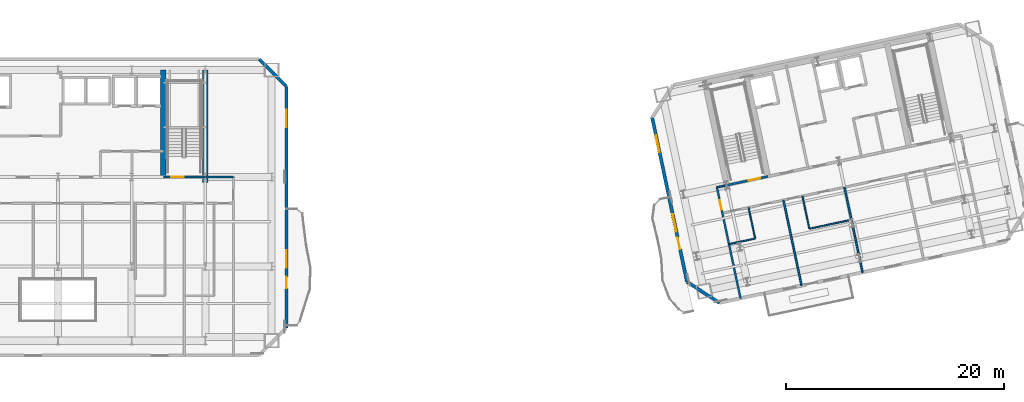
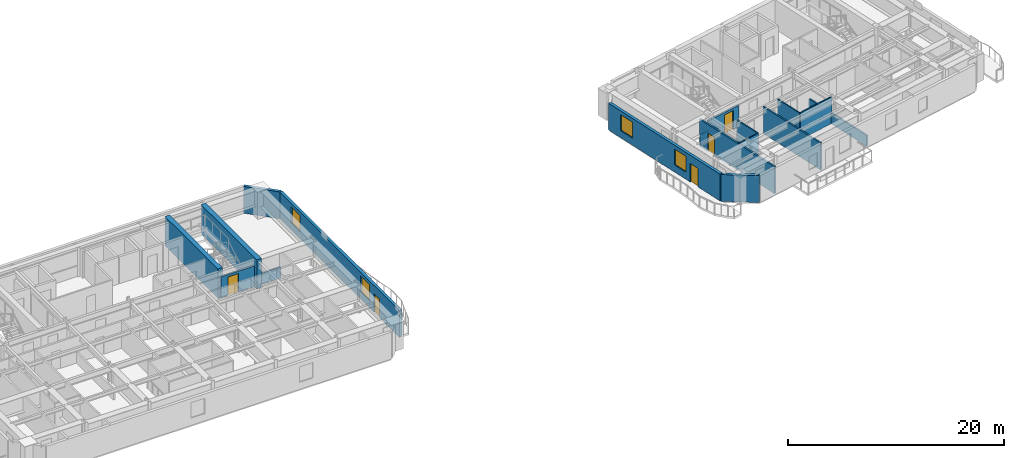
# One storey, part 9 of 16: 17 walls, 5 doors, 4 windows, 9 openings.
"""IFC4 building model written with IfcOpenShell, lengths in metres."""

from ifc_helpers import new_model, si_unit, direction, frame, frame_2d, origin, place, context, subcontext, project, spatial, rectangle, extrude, material, layer, layer_set, type_object, element, fill, save


model = new_model("IFC4")

# Units and contexts
model_context = context("Model", 3, precision=1e-05, world=origin(), true_north=direction((0.0, 1.0)))
body_context = subcontext(model_context, "Body", "Model", "MODEL_VIEW")
ifc_project = project(units=[si_unit("LENGTHUNIT", "METRE"), si_unit("AREAUNIT", "SQUARE_METRE"), si_unit("VOLUMEUNIT", "CUBIC_METRE"), si_unit("PLANEANGLEUNIT", "RADIAN"), si_unit("MASSUNIT", "GRAM", prefix="KILO")], contexts=[model_context])

# Site, building, storey
site_placement = place(None, origin())
site = spatial("IfcSite", under=ifc_project, at=site_placement, CompositionType="ELEMENT")
building_placement = place(site_placement, origin())
building = spatial("IfcBuilding", under=site, at=building_placement, Name="Haevon Station Towers", CompositionType="ELEMENT")
storey_placement = place(building_placement, frame((0.0, 0.0, 172.5)))
storey = spatial("IfcBuildingStorey", under=building, at=storey_placement, Name="L47", CompositionType="ELEMENT", Elevation=172.5)

# Wall, opening, door
ifc_material_1 = material(Name="Gypsum board on steel stud", Category="steel")
ifc_layer_1 = layer(ifc_material_1, 0.179931640625)
ifc_layer_set_1 = layer_set([ifc_layer_1], Name="Gypsum board on steel stud")
wall_type_1 = type_object("IfcWallType", Name="WL-ACU180", PredefinedType="PARTITIONING", material=ifc_layer_set_1)
wall_1_placement = place(storey_placement, frame((100.011962890625, 27.067626953125, 0.0), z_axis=(0.0, 0.0, 1.0), x_axis=(-0.207909525055, 0.978148061078, 0.0)))
wall_1 = element("IfcWall", 1, at=wall_1_placement, inside=storey, type_object=wall_type_1, Name="WL-T2PT-L47-03", PredefinedType="PARTITIONING", context=body_context, shape_type="SweptSolid", body=[
    extrude(rectangle(XDim=10.409912109375, YDim=0.179931640625, at=frame_2d((5.205078125, 0.0))), origin(), (0.0, 0.0, 1.0), 3.030029296875),
])
opening_1_placement = place(wall_1_placement, frame((8.31005859375, 0.0, 0.0)))
opening_1 = element("IfcOpeningElement", 2, at=opening_1_placement, cuts=wall_1, Name="Opening DR-WL-T2PT-L47-03-01", PredefinedType="OPENING", context=body_context, shape_type="SweptSolid", body=[
    extrude(rectangle(XDim=0.89990234375, YDim=2.050048828125, at=frame_2d((0.449951171875, 1.02490234375))), frame((0.0, 0.099853515625, 0.0), z_axis=(0.0, -1.0, 0.0), x_axis=(1.0, 0.0, 0.0)), (0.0, 0.0, 1.0), 0.199951171875),
])
ifc_material_2 = material(Name="Engineered oak timber", Category="wood")
door_type_1 = type_object("IfcDoorType", Name="DR-INT-900", OperationType="NOTDEFINED", PredefinedType="DOOR", material=ifc_material_2)
door_1_placement = place(opening_1_placement, origin())
door_1 = element("IfcDoor", 3, at=door_1_placement, inside=storey, type_object=door_type_1, Name="L47 Tower 2 Room Door 3-1", OperationType="SINGLE_SWING_RIGHT", OverallHeight=2.050048828125, OverallWidth=0.89990234375, PredefinedType="DOOR", context=body_context, shape_type="SweptSolid", body=[
    extrude(rectangle(XDim=0.89990234375, YDim=2.050048828125, at=frame_2d((0.449951171875, 1.02490234375))), frame((0.0, 0.02490234375, 0.0), z_axis=(0.0, -1.0, 0.0), x_axis=(1.0, 0.0, 0.0)), (0.0, 0.0, 1.0), 0.050048828125),
])
fill(opening_1, door_1)

ifc_layer_2 = layer(ifc_material_1, 0.199951171875)
ifc_layer_set_2 = layer_set([ifc_layer_2], Name="Gypsum board on steel stud")
wall_type_2 = type_object("IfcWallType", Name="WL-COR200", PredefinedType="PARTITIONING", material=ifc_layer_set_2)
wall_2_placement = place(storey_placement, frame((47.14990234375, 38.199951171875, 0.0), z_axis=(0.0, 0.0, 1.0), x_axis=(1.0, 0.0, 0.0)))
wall_2 = element("IfcWall", 4, at=wall_2_placement, inside=storey, type_object=wall_type_2, Name="WL-ST-ST2-L47", PredefinedType="PARTITIONING", context=body_context, shape_type="SweptSolid", body=[
    extrude(rectangle(XDim=3.85009765625, YDim=0.199951171875, at=frame_2d((1.925048828125, 0.0))), origin(), (0.0, 0.0, 1.0), 2.3798828125),
])
opening_2_placement = place(wall_2_placement, frame((0.75, 0.0, 0.0)))
opening_2 = element("IfcOpeningElement", 5, at=opening_2_placement, cuts=wall_2, Name="Opening DR-ST-ST2-L47", PredefinedType="OPENING", context=body_context, shape_type="SweptSolid", body=[
    extrude(rectangle(XDim=1.1201171875, YDim=2.10009765625, at=frame_2d((0.56005859375, 1.050048828125))), frame((0.0, 0.10986328125, 0.0), z_axis=(0.0, -1.0, 0.0), x_axis=(1.0, 0.0, 0.0)), (0.0, 0.0, 1.0), 0.219970703125),
])
door_type_2 = type_object("IfcDoorType", Name="DR-ST-1120", OperationType="NOTDEFINED", PredefinedType="DOOR", material=ifc_material_2)
door_2_placement = place(opening_2_placement, origin())
door_2 = element("IfcDoor", 6, at=door_2_placement, inside=storey, type_object=door_type_2, Name="L47 Escape Stair ST2 Fire Door", OperationType="SINGLE_SWING_LEFT", OverallHeight=2.10009765625, OverallWidth=1.1201171875, PredefinedType="DOOR", context=body_context, shape_type="SweptSolid", body=[
    extrude(rectangle(XDim=1.1201171875, YDim=2.10009765625, at=frame_2d((0.56005859375, 1.050048828125))), frame((0.0, 0.02490234375, 0.0), z_axis=(0.0, -1.0, 0.0), x_axis=(1.0, 0.0, 0.0)), (0.0, 0.0, 1.0), 0.050048828125),
])
fill(opening_2, door_2)

wall_3_placement = place(storey_placement, frame((98.75244140625, 37.4423828125, 0.0), z_axis=(0.0, 0.0, 1.0), x_axis=(0.978143537786, 0.207930804564, 0.0)))
wall_3 = element("IfcWall", 7, at=wall_3_placement, inside=storey, type_object=wall_type_2, Name="WL-ST-ST3-L47", PredefinedType="PARTITIONING", context=body_context, shape_type="SweptSolid", body=[
    extrude(rectangle(XDim=3.85009765625, YDim=0.199951171875, at=frame_2d((1.925048828125, 0.0))), origin(), (0.0, 0.0, 1.0), 2.3798828125),
])
opening_3_placement = place(wall_3_placement, frame((2.0, 0.0, 0.0)))
opening_3 = element("IfcOpeningElement", 8, at=opening_3_placement, cuts=wall_3, Name="Opening DR-ST-ST3-L47", PredefinedType="OPENING", context=body_context, shape_type="SweptSolid", body=[
    extrude(rectangle(XDim=1.1201171875, YDim=2.10009765625, at=frame_2d((0.56005859375, 1.050048828125))), frame((0.0, 0.10986328125, 0.0), z_axis=(0.0, -1.0, 0.0), x_axis=(1.0, 0.0, 0.0)), (0.0, 0.0, 1.0), 0.219970703125),
])
door_3_placement = place(opening_3_placement, origin())
door_3 = element("IfcDoor", 9, at=door_3_placement, inside=storey, type_object=door_type_2, Name="L47 Escape Stair ST3 Fire Door", OperationType="SINGLE_SWING_RIGHT", OverallHeight=2.10009765625, OverallWidth=1.1201171875, PredefinedType="DOOR", context=body_context, shape_type="SweptSolid", body=[
    extrude(rectangle(XDim=1.1201171875, YDim=2.10009765625, at=frame_2d((0.56005859375, 1.050048828125))), frame((0.0, 0.02490234375, 0.0), z_axis=(0.0, -1.0, 0.0), x_axis=(1.0, 0.0, 0.0)), (0.0, 0.0, 1.0), 0.050048828125),
])
fill(opening_3, door_3)

# Walls
ifc_material_3 = material(Name="Concrete C60/75", Category="concrete")
ifc_layer_3 = layer(ifc_material_3, 0.5)
ifc_layer_set_3 = layer_set([ifc_layer_3], Name="Concrete C60/75")
wall_type_3 = type_object("IfcWallType", Name="WL-CR500", PredefinedType="SHEAR", material=ifc_layer_set_3)
wall_4_placement = place(storey_placement, frame((51.0, 37.679931640625, 0.0), z_axis=(0.0, 0.0, 1.0), x_axis=(0.0, 1.0, 0.0)))
element("IfcWall", 10, at=wall_4_placement, inside=storey, type_object=wall_type_3, Name="WL-T1CR-L47-E", PredefinedType="SHEAR", context=body_context, shape_type="SweptSolid", body=[
    extrude(rectangle(XDim=10.320068359375, YDim=0.5, at=frame_2d((5.16015625, 0.0))), origin(), (0.0, 0.0, 1.0), 3.300048828125),
])
wall_5_placement = place(storey_placement, frame((47.14990234375, 38.199951171875, 0.0), z_axis=(0.0, 0.0, 1.0), x_axis=(0.0, 1.0, 0.0)))
element("IfcWall", 11, at=wall_5_placement, inside=storey, type_object=wall_type_3, Name="WL-T1CR-L47-M2", PredefinedType="SHEAR", context=body_context, shape_type="SweptSolid", body=[
    extrude(rectangle(XDim=9.800048828125, YDim=0.5, at=frame_2d((4.89990234375, 0.0))), origin(), (0.0, 0.0, 1.0), 3.300048828125),
])
ifc_material_4 = material(Name="Precast concrete C45/55", Category="concrete")
ifc_layer_4 = layer(ifc_material_4, 0.300048828125)
ifc_layer_set_4 = layer_set([ifc_layer_4], Name="Precast concrete C45/55")
wall_type_4 = type_object("IfcWallType", Name="WL-EXT-PIER300", PredefinedType="SOLIDWALL", material=ifc_layer_set_4)
wall_6_placement = place(storey_placement, frame((55.925048828125, 49.0, 0.0), z_axis=(0.0, 0.0, 1.0), x_axis=(0.707106781187, -0.707106781187, 0.0)))
element("IfcWall", 12, at=wall_6_placement, inside=storey, type_object=wall_type_4, Name="WL-T1-L47-NEC", PredefinedType="SOLIDWALL", context=body_context, shape_type="SweptSolid", body=[
    extrude(rectangle(XDim=3.53564453125, YDim=0.300048828125, at=frame_2d((1.767822265625, 0.0))), origin(), (0.0, 0.0, 1.0), 3.030029296875),
])

# Wall, openings, door, windows
wall_7_placement = place(storey_placement, frame((58.425048828125, 46.5, 0.0), z_axis=(0.0, 0.0, 1.0), x_axis=(0.0, -1.0, 0.0)))
wall_7 = element("IfcWall", 13, at=wall_7_placement, inside=storey, type_object=wall_type_4, Name="WL-T1-L47-E", PredefinedType="SOLIDWALL", context=body_context, shape_type="SweptSolid", body=[
    extrude(rectangle(XDim=22.14990234375, YDim=0.300048828125, at=frame_2d((11.074951171875, 0.0))), origin(), (0.0, 0.0, 1.0), 3.030029296875),
])
opening_4_placement = place(wall_7_placement, frame((17.449951171875, 0.0, 0.0)))
opening_4 = element("IfcOpeningElement", 14, at=opening_4_placement, cuts=wall_7, Name="Opening DR-T1-SCAL-L47-E", PredefinedType="OPENING", context=body_context, shape_type="SweptSolid", body=[
    extrude(rectangle(XDim=1.050048828125, YDim=2.10009765625, at=frame_2d((0.52490234375, 1.050048828125))), frame((0.0, 0.159912109375, 0.0), z_axis=(0.0, -1.0, 0.0), x_axis=(1.0, 0.0, 0.0)), (0.0, 0.0, 1.0), 0.320068359375),
])
opening_5_placement = place(wall_7_placement, frame((2.153564453125, 0.0, 0.800048828125)))
opening_5 = element("IfcOpeningElement", 15, at=opening_5_placement, cuts=wall_7, Name="Opening WN-END160", PredefinedType="OPENING", context=body_context, shape_type="SweptSolid", body=[
    extrude(rectangle(XDim=1.60009765625, YDim=1.800048828125, at=frame_2d((0.800048828125, 0.89990234375))), frame((0.0, 0.159912109375, 0.0), z_axis=(0.0, -1.0, 0.0), x_axis=(1.0, 0.0, 0.0)), (0.0, 0.0, 1.0), 0.320068359375),
])
opening_6_placement = place(wall_7_placement, frame((15.012451171875, 0.0, 0.800048828125)))
opening_6 = element("IfcOpeningElement", 16, at=opening_6_placement, cuts=wall_7, Name="Opening WN-END160", PredefinedType="OPENING", context=body_context, shape_type="SweptSolid", body=[
    extrude(rectangle(XDim=1.60009765625, YDim=1.800048828125, at=frame_2d((0.800048828125, 0.89990234375))), frame((0.0, 0.159912109375, 0.0), z_axis=(0.0, -1.0, 0.0), x_axis=(1.0, 0.0, 0.0)), (0.0, 0.0, 1.0), 0.320068359375),
])
ifc_material_5 = material(Name="Thermally broken anodised aluminium and laminated safety glass", Category="aluminium")
door_type_3 = type_object("IfcDoorType", Name="DR-BALC-1050", OperationType="NOTDEFINED", PredefinedType="DOOR", material=ifc_material_5)
door_4_placement = place(opening_4_placement, origin())
door_4 = element("IfcDoor", 17, at=door_4_placement, inside=storey, type_object=door_type_3, Name="Tower 1 L47 East Scalloped Balcony Door", OperationType="SINGLE_SWING_LEFT", OverallHeight=2.10009765625, OverallWidth=1.050048828125, PredefinedType="DOOR", context=body_context, shape_type="SweptSolid", body=[
    extrude(rectangle(XDim=1.050048828125, YDim=2.10009765625, at=frame_2d((0.52490234375, 1.050048828125))), frame((0.0, 0.02490234375, 0.0), z_axis=(0.0, -1.0, 0.0), x_axis=(1.0, 0.0, 0.0)), (0.0, 0.0, 1.0), 0.050048828125),
])
fill(opening_4, door_4)
ifc_material_6 = material(Name="Low-E triple glazing in thermally broken aluminium", Category="aluminium")
window_type = type_object("IfcWindowType", Name="WN-END160", PartitioningType="SINGLE_PANEL", PredefinedType="WINDOW", material=ifc_material_6)
window_1_placement = place(opening_5_placement, origin())
window_1 = element("IfcWindow", 18, at=window_1_placement, inside=storey, type_object=window_type, Name="WN-T1-L47-E01", OverallHeight=1.800048828125, OverallWidth=1.60009765625, PartitioningType="SINGLE_PANEL", PredefinedType="WINDOW", context=body_context, shape_type="SweptSolid", body=[
    extrude(rectangle(XDim=1.60009765625, YDim=1.800048828125, at=frame_2d((0.800048828125, 0.89990234375))), frame((0.0, 0.030029296875, 0.0), z_axis=(0.0, -1.0, 0.0), x_axis=(1.0, 0.0, 0.0)), (0.0, 0.0, 1.0), 0.06005859375),
])
fill(opening_5, window_1)
window_2_placement = place(opening_6_placement, origin())
window_2 = element("IfcWindow", 19, at=window_2_placement, inside=storey, type_object=window_type, Name="WN-T1-L47-E02", OverallHeight=1.800048828125, OverallWidth=1.60009765625, PartitioningType="SINGLE_PANEL", PredefinedType="WINDOW", context=body_context, shape_type="SweptSolid", body=[
    extrude(rectangle(XDim=1.60009765625, YDim=1.800048828125, at=frame_2d((0.800048828125, 0.89990234375))), frame((0.0, 0.030029296875, 0.0), z_axis=(0.0, -1.0, 0.0), x_axis=(1.0, 0.0, 0.0)), (0.0, 0.0, 1.0), 0.06005859375),
])
fill(opening_6, window_2)

# Wall
wall_8_placement = place(storey_placement, frame((98.080078125, 26.656982421875, 0.0), z_axis=(0.0, 0.0, 1.0), x_axis=(-0.838672309694, 0.544636352948, 0.0)))
element("IfcWall", 20, at=wall_8_placement, inside=storey, type_object=wall_type_4, Name="WL-T2-L47-SWC", PredefinedType="SOLIDWALL", context=body_context, shape_type="SweptSolid", body=[
    extrude(rectangle(XDim=3.535400390625, YDim=0.300048828125, at=frame_2d((1.767578125, 0.0))), origin(), (0.0, 0.0, 1.0), 3.030029296875),
])

# Wall, openings, door, windows
wall_9_placement = place(storey_placement, frame((95.114990234375, 28.58251953125, 0.0), z_axis=(0.0, 0.0, 1.0), x_axis=(-0.207908020757, 0.978148380822, 0.0)))
wall_9 = element("IfcWall", 21, at=wall_9_placement, inside=storey, type_object=wall_type_4, Name="WL-T2-L47-W", PredefinedType="SOLIDWALL", context=body_context, shape_type="SweptSolid", body=[
    extrude(rectangle(XDim=15.409912109375, YDim=0.300048828125, at=frame_2d((7.705078125, 0.0))), origin(), (0.0, 0.0, 1.0), 3.030029296875),
])
opening_7_placement = place(wall_9_placement, frame((3.080078125, 0.0, 0.0)))
opening_7 = element("IfcOpeningElement", 22, at=opening_7_placement, cuts=wall_9, Name="Opening DR-T2-SCAL-L47-W", PredefinedType="OPENING", context=body_context, shape_type="SweptSolid", body=[
    extrude(rectangle(XDim=1.050048828125, YDim=2.10009765625, at=frame_2d((0.52490234375, 1.050048828125))), frame((0.0, 0.159912109375, 0.0), z_axis=(0.0, -1.0, 0.0), x_axis=(1.0, 0.0, 0.0)), (0.0, 0.0, 1.0), 0.320068359375),
])
opening_8_placement = place(wall_9_placement, frame((4.724609375, 0.0, 0.800048828125)))
opening_8 = element("IfcOpeningElement", 23, at=opening_8_placement, cuts=wall_9, Name="Opening WN-END160", PredefinedType="OPENING", context=body_context, shape_type="SweptSolid", body=[
    extrude(rectangle(XDim=1.60009765625, YDim=1.800048828125, at=frame_2d((0.800048828125, 0.89990234375))), frame((0.0, 0.159912109375, 0.0), z_axis=(0.0, -1.0, 0.0), x_axis=(1.0, 0.0, 0.0)), (0.0, 0.0, 1.0), 0.320068359375),
])
opening_9_placement = place(wall_9_placement, frame((12.137939453125, 0.0, 0.800048828125)))
opening_9 = element("IfcOpeningElement", 24, at=opening_9_placement, cuts=wall_9, Name="Opening WN-END160", PredefinedType="OPENING", context=body_context, shape_type="SweptSolid", body=[
    extrude(rectangle(XDim=1.60009765625, YDim=1.800048828125, at=frame_2d((0.800048828125, 0.89990234375))), frame((0.0, 0.159912109375, 0.0), z_axis=(0.0, -1.0, 0.0), x_axis=(1.0, 0.0, 0.0)), (0.0, 0.0, 1.0), 0.320068359375),
])
door_5_placement = place(opening_7_placement, origin())
door_5 = element("IfcDoor", 25, at=door_5_placement, inside=storey, type_object=door_type_3, Name="Tower 2 L47 West Scalloped Balcony Door", OperationType="SINGLE_SWING_RIGHT", OverallHeight=2.10009765625, OverallWidth=1.050048828125, PredefinedType="DOOR", context=body_context, shape_type="SweptSolid", body=[
    extrude(rectangle(XDim=1.050048828125, YDim=2.10009765625, at=frame_2d((0.52490234375, 1.050048828125))), frame((0.0, 0.02490234375, 0.0), z_axis=(0.0, -1.0, 0.0), x_axis=(1.0, 0.0, 0.0)), (0.0, 0.0, 1.0), 0.050048828125),
])
fill(opening_7, door_5)
window_3_placement = place(opening_8_placement, origin())
window_3 = element("IfcWindow", 26, at=window_3_placement, inside=storey, type_object=window_type, Name="WN-T2-L47-W01", OverallHeight=1.800048828125, OverallWidth=1.60009765625, PartitioningType="SINGLE_PANEL", PredefinedType="WINDOW", context=body_context, shape_type="SweptSolid", body=[
    extrude(rectangle(XDim=1.60009765625, YDim=1.800048828125, at=frame_2d((0.800048828125, 0.89990234375))), frame((0.0, 0.030029296875, 0.0), z_axis=(0.0, -1.0, 0.0), x_axis=(1.0, 0.0, 0.0)), (0.0, 0.0, 1.0), 0.06005859375),
])
fill(opening_8, window_3)
window_4_placement = place(opening_9_placement, origin())
window_4 = element("IfcWindow", 27, at=window_4_placement, inside=storey, type_object=window_type, Name="WN-T2-L47-W02", OverallHeight=1.800048828125, OverallWidth=1.60009765625, PartitioningType="SINGLE_PANEL", PredefinedType="WINDOW", context=body_context, shape_type="SweptSolid", body=[
    extrude(rectangle(XDim=1.60009765625, YDim=1.800048828125, at=frame_2d((0.800048828125, 0.89990234375))), frame((0.0, 0.030029296875, 0.0), z_axis=(0.0, -1.0, 0.0), x_axis=(1.0, 0.0, 0.0)), (0.0, 0.0, 1.0), 0.06005859375),
])
fill(opening_9, window_4)

# Walls
ifc_layer_5 = layer(ifc_material_1, 0.125)
ifc_layer_set_5 = layer_set([ifc_layer_5], Name="Gypsum board on steel stud")
wall_type_5 = type_object("IfcWallType", Name="WL-PRT125", PredefinedType="PARTITIONING", material=ifc_layer_set_5)
wall_10_placement = place(storey_placement, frame((98.95361328125, 32.04638671875, 0.0), z_axis=(0.0, 0.0, 1.0), x_axis=(0.978156824814, 0.207868290196, 0.0)))
element("IfcWall", 28, at=wall_10_placement, inside=storey, type_object=wall_type_5, Name="WL-T2PT-L47-05", PredefinedType="PARTITIONING", context=body_context, shape_type="SweptSolid", body=[
    extrude(rectangle(XDim=2.449951171875, YDim=0.125, at=frame_2d((1.22509765625, 0.0))), origin(), (0.0, 0.0, 1.0), 3.030029296875),
])
wall_11_placement = place(storey_placement, frame((101.35009765625, 32.5556640625, 0.0), z_axis=(0.0, 0.0, 1.0), x_axis=(-0.207936282142, 0.978142373363, 0.0)))
element("IfcWall", 29, at=wall_11_placement, inside=storey, type_object=wall_type_5, Name="WL-T2PT-L47-06", PredefinedType="PARTITIONING", context=body_context, shape_type="SweptSolid", body=[
    extrude(rectangle(XDim=2.900146484375, YDim=0.125, at=frame_2d((1.4501953125, 0.0))), origin(), (0.0, 0.0, 1.0), 3.030029296875),
])
wall_12_placement = place(storey_placement, frame((106.313720703125, 33.45751953125, 0.0), z_axis=(0.0, 0.0, 1.0), x_axis=(0.978158061963, 0.207862468515, 0.0)))
element("IfcWall", 30, at=wall_12_placement, inside=storey, type_object=wall_type_5, Name="WL-T2PT-L47-08", PredefinedType="PARTITIONING", context=body_context, shape_type="SweptSolid", body=[
    extrude(rectangle(XDim=3.932373046875, YDim=0.125, at=frame_2d((1.96630859375, 0.0))), origin(), (0.0, 0.0, 1.0), 3.030029296875),
])
wall_13_placement = place(storey_placement, frame((106.313720703125, 33.45751953125, 0.0), z_axis=(0.0, 0.0, 1.0), x_axis=(-0.207970769876, 0.978135041228, 0.0)))
element("IfcWall", 31, at=wall_13_placement, inside=storey, type_object=wall_type_5, Name="WL-T2PT-L47-09", PredefinedType="PARTITIONING", context=body_context, shape_type="SweptSolid", body=[
    extrude(rectangle(XDim=3.0498046875, YDim=0.125, at=frame_2d((1.52490234375, 0.0))), origin(), (0.0, 0.0, 1.0), 3.030029296875),
])
ifc_layer_6 = layer(ifc_material_1, 0.159912109375)
ifc_layer_set_6 = layer_set([ifc_layer_6], Name="Gypsum board on steel stud")
wall_type_6 = type_object("IfcWallType", Name="WL-PRT160", PredefinedType="PARTITIONING", material=ifc_layer_set_6)
wall_14_placement = place(storey_placement, frame((51.0, 38.199951171875, 0.0), z_axis=(0.0, 0.0, 1.0), x_axis=(1.0, 0.0, 0.0)))
element("IfcWall", 32, at=wall_14_placement, inside=storey, type_object=wall_type_6, Name="WL-T1PT-L47-02", PredefinedType="PARTITIONING", context=body_context, shape_type="SweptSolid", body=[
    extrude(rectangle(XDim=2.574951171875, YDim=0.159912109375, at=frame_2d((1.28759765625, 0.0))), origin(), (0.0, 0.0, 1.0), 1.22998046875),
])
wall_15_placement = place(storey_placement, frame((97.84765625, 37.25, 0.0), z_axis=(0.0, 0.0, 1.0), x_axis=(0.978133353907, 0.20797870558, 0.0)))
element("IfcWall", 33, at=wall_15_placement, inside=storey, type_object=wall_type_6, Name="WL-T2PT-L47-01", PredefinedType="PARTITIONING", context=body_context, shape_type="SweptSolid", body=[
    extrude(rectangle(XDim=0.925048828125, YDim=0.159912109375, at=frame_2d((0.46240234375, 0.0))), origin(), (0.0, 0.0, 1.0), 1.22998046875),
])
wall_16_placement = place(storey_placement, frame((105.599609375, 28.25537109375, 0.0), z_axis=(0.0, 0.0, 1.0), x_axis=(-0.207907361128, 0.978148521028, 0.0)))
element("IfcWall", 34, at=wall_16_placement, inside=storey, type_object=wall_type_6, Name="WL-T2PT-L47-07", PredefinedType="PARTITIONING", context=body_context, shape_type="SweptSolid", body=[
    extrude(rectangle(XDim=7.98974609375, YDim=0.159912109375, at=frame_2d((3.994873046875, 0.0))), origin(), (0.0, 0.0, 1.0), 3.030029296875),
])
wall_17_placement = place(storey_placement, frame((111.187255859375, 29.44287109375, 0.0), z_axis=(0.0, 0.0, 1.0), x_axis=(-0.207901147181, 0.978149841794, 0.0)))
element("IfcWall", 35, at=wall_17_placement, inside=storey, type_object=wall_type_6, Name="WL-T2PT-L47-10", PredefinedType="PARTITIONING", context=body_context, shape_type="SweptSolid", body=[
    extrude(rectangle(XDim=7.989990234375, YDim=0.159912109375, at=frame_2d((3.9951171875, 0.0))), origin(), (0.0, 0.0, 1.0), 1.22998046875),
])

save(model, "model.ifc")
